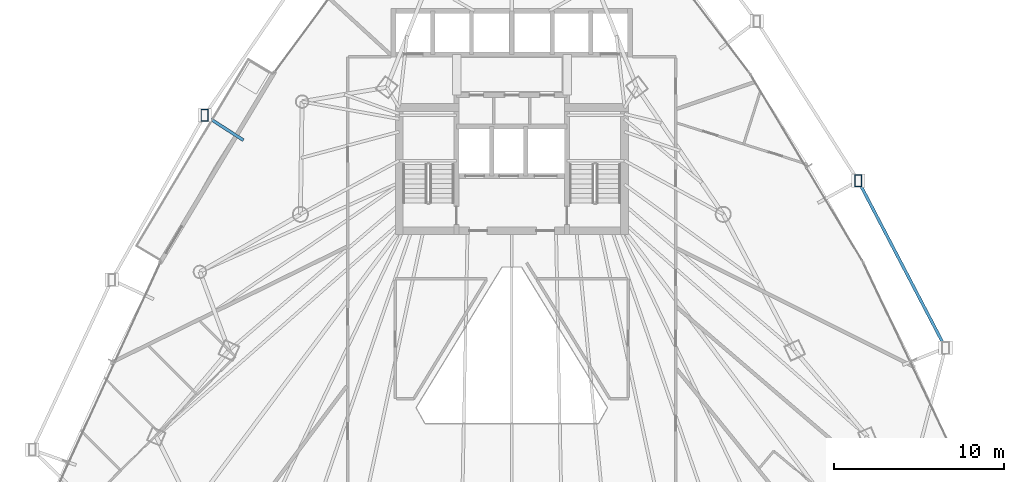
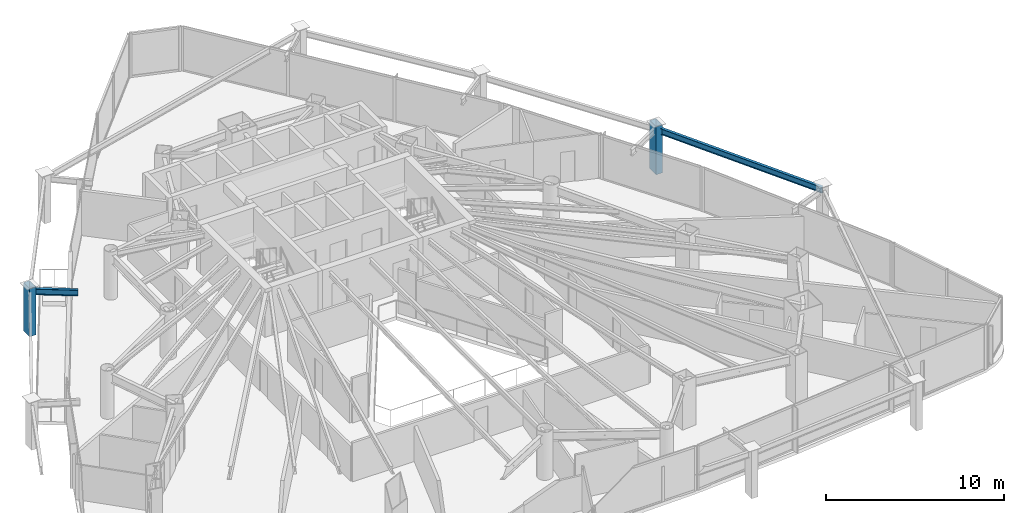
# One storey, part 20 of 35: 2 beams, 2 members.
"""IFC4 building model written with IfcOpenShell, lengths in metres."""

from ifc_helpers import new_model, si_unit, direction, frame, origin, origin_2d, place, context, subcontext, project, spatial, hollow_rectangle, i_section, extrude, material, material_profile, profile_set, type_object, element, save


model = new_model("IFC4")

# Units and contexts
model_context = context("Model", 3, precision=1e-05, world=origin(), true_north=direction((0.0, 1.0)))
body_context = subcontext(model_context, "Body", "Model", "MODEL_VIEW")
ifc_project = project(units=[si_unit("LENGTHUNIT", "METRE"), si_unit("AREAUNIT", "SQUARE_METRE"), si_unit("VOLUMEUNIT", "CUBIC_METRE"), si_unit("PLANEANGLEUNIT", "RADIAN"), si_unit("MASSUNIT", "GRAM", prefix="KILO")], contexts=[model_context])

# Site, building, storey
site_placement = place(None, origin())
site = spatial("IfcSite", under=ifc_project, at=site_placement, CompositionType="ELEMENT")
building_placement = place(site_placement, origin())
building = spatial("IfcBuilding", under=site, at=building_placement, Name="Orvanel Arch Residences", CompositionType="ELEMENT")
storey_placement = place(building_placement, frame((0.0, 0.0, 40.10009765625)))
storey = spatial("IfcBuildingStorey", under=building, at=storey_placement, Name="L10", CompositionType="ELEMENT", Elevation=40.10009765625)

# Members
ifc_material_1 = material(Name="Structural steel AS/NZS 3678 Grade 350", Category="steel")
ifc_material_profile_1 = material_profile(ifc_material_1, hollow_rectangle(XDim=0.419921875, YDim=0.719970703125, WallThickness=0.02490234375, at=origin_2d()), Name="RHS720x420x25")
ifc_profile_set_1 = profile_set([ifc_material_profile_1], Name="Structural steel AS/NZS 3678 Grade 350")
member_type = type_object("IfcMemberType", Name="CH-720RHS-EXT", PredefinedType="CHORD", material=ifc_profile_set_1)
for number, where, z_axis, x_axis, name in (
    (1, (14.93994140625, 33.469970703125, 0.0), (0.0, 0.0, 1.0), (1.0, 0.0, 0.0), "L10 Outer Perimeter Frame Post 02"),
    (2, (53.37109375, 29.616943359375, 0.0), (0.0, 0.0, 1.0), (1.0, 0.0, 0.0), "L10 Outer Perimeter Frame Post 10"),
):
    element("IfcMember", number, at=place(storey_placement, frame(where, z_axis=z_axis, x_axis=x_axis)), inside=storey, type_object=member_type, Name=name, PredefinedType="CHORD", context=body_context, shape_type="SweptSolid", body=[
        extrude(hollow_rectangle(XDim=0.419921875, YDim=0.719970703125, WallThickness=0.02490234375, at=origin_2d()), origin(), (0.0, 0.0, 1.0), 3.2998046875),
    ])

# Beams
ifc_material_2 = material(Name="Structural steel AS/NZS 3679.1 Grade 300 (300 MPa)", Category="steel")
ifc_material_profile_2 = material_profile(ifc_material_2, i_section(OverallWidth=0.177978515625, OverallDepth=0.406005859375, WebThickness=0.0078125, FlangeThickness=0.0126953125, at=origin_2d()), Name="410UB59.7")
ifc_profile_set_2 = profile_set([ifc_material_profile_2], Name="Structural steel AS/NZS 3679.1 Grade 300 (300 MPa)")
beam_type = type_object("IfcBeamType", Name="OB-410UB-EXT", PredefinedType="SPANDREL", material=ifc_profile_set_2)
beam_1_placement = place(storey_placement, frame((17.216064453125, 32.0029296875, 2.85693359375), z_axis=(-0.840536367173, 0.541755124996, 0.0), x_axis=(-0.541755124996, -0.840536367173, 0.0)))
element("IfcBeam", 3, at=beam_1_placement, inside=storey, type_object=beam_type, Name="L10 Outer Frame Radial Tie Beam 02", PredefinedType="SPANDREL", context=body_context, shape_type="SweptSolid", body=[
    extrude(i_section(OverallWidth=0.177978515625, OverallDepth=0.406005859375, WebThickness=0.0078125, FlangeThickness=0.0126953125, at=origin_2d()), origin(), (0.0, 0.0, 1.0), 2.7080078125),
])
beam_2_placement = place(storey_placement, frame((58.501953125, 19.7919921875, 2.85693359375), z_axis=(-0.46290621952, 0.886407260761, 0.0), x_axis=(-0.886407260761, -0.46290621952, 0.0)))
element("IfcBeam", 4, at=beam_2_placement, inside=storey, type_object=beam_type, Name="L10 Outer Perimeter Floor Ring Beam 09", PredefinedType="SPANDREL", context=body_context, shape_type="SweptSolid", body=[
    extrude(i_section(OverallWidth=0.177978515625, OverallDepth=0.406005859375, WebThickness=0.0078125, FlangeThickness=0.0126953125, at=origin_2d()), origin(), (0.0, 0.0, 1.0), 11.083984375),
])

save(model, "model.ifc")
